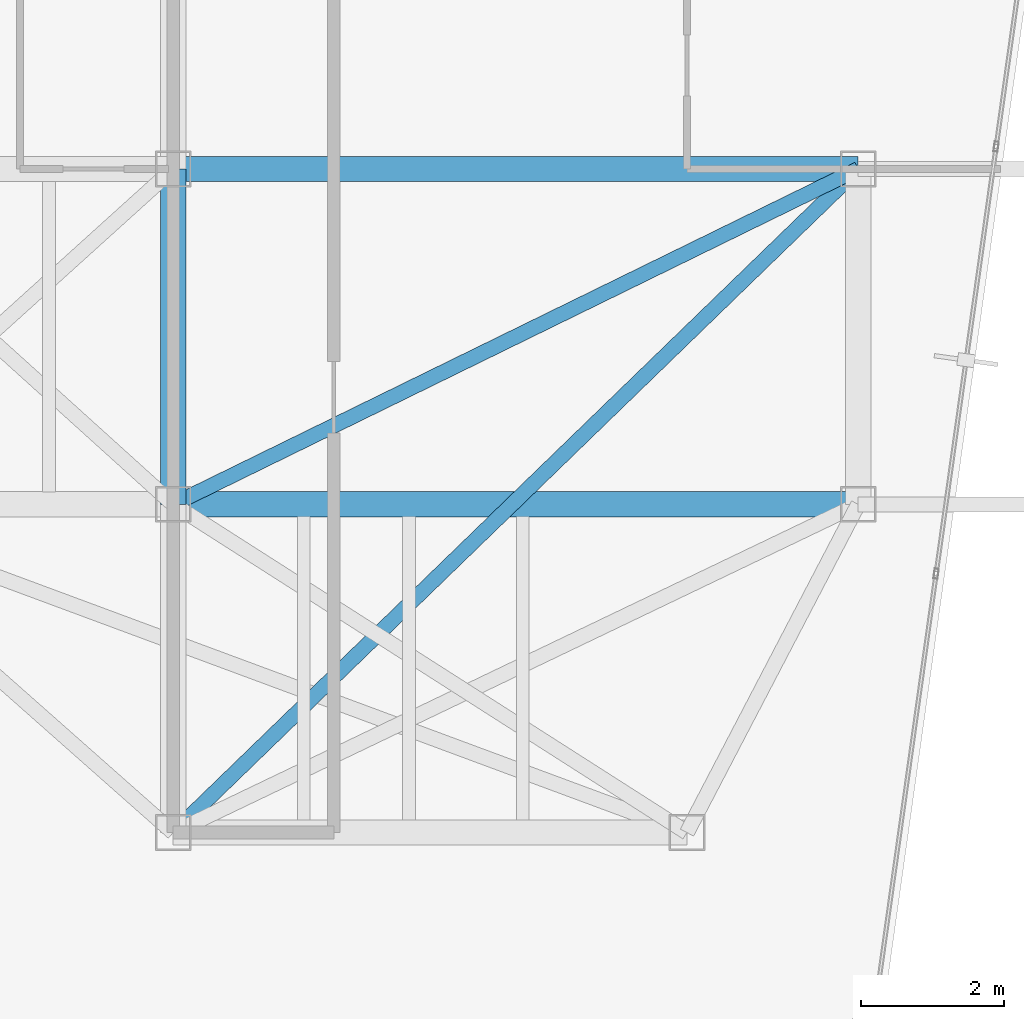
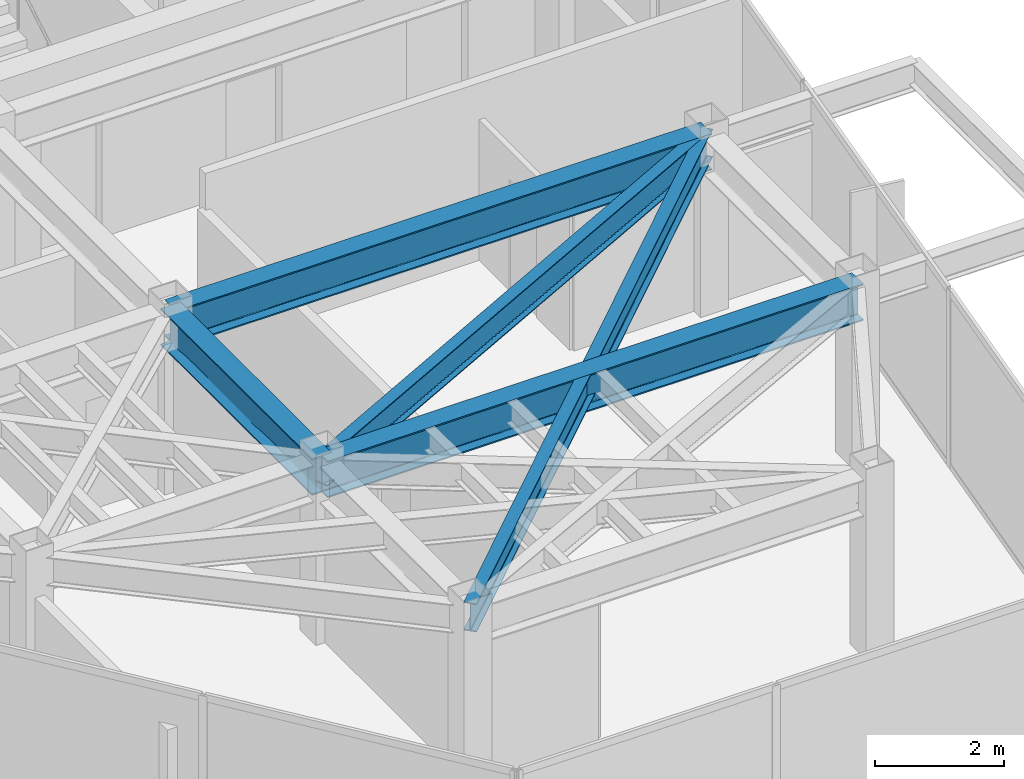
# One storey, part 12 of 20: 5 beams.
"""IFC4 building model written with IfcOpenShell, lengths in metres."""

from ifc_helpers import new_model, si_unit, direction, frame, origin, origin_2d, place, context, subcontext, project, spatial, i_section, extrude, material, material_profile, profile_set, type_object, element, save


model = new_model("IFC4")

# Units and contexts
model_context = context("Model", 3, precision=1e-05, world=origin(), true_north=direction((0.0, 1.0)))
body_context = subcontext(model_context, "Body", "Model", "MODEL_VIEW")
ifc_project = project(units=[si_unit("LENGTHUNIT", "METRE"), si_unit("AREAUNIT", "SQUARE_METRE"), si_unit("VOLUMEUNIT", "CUBIC_METRE"), si_unit("PLANEANGLEUNIT", "RADIAN"), si_unit("MASSUNIT", "GRAM", prefix="KILO")], contexts=[model_context])

# Site, building, storey
site_placement = place(None, origin())
site = spatial("IfcSite", under=ifc_project, at=site_placement, CompositionType="ELEMENT")
building_placement = place(site_placement, origin())
building = spatial("IfcBuilding", under=site, at=building_placement, Name="Kravanh Interchange Tower", CompositionType="ELEMENT")
storey_placement = place(building_placement, frame((0.0, 0.0, 245.39990234375)))
storey = spatial("IfcBuildingStorey", under=building, at=storey_placement, Name="L59", CompositionType="ELEMENT", Elevation=245.39990234375)

# Beams
ifc_material_1 = material(Name="Structural Steel S355", Category="steel")
ifc_material_profile_1 = material_profile(ifc_material_1, i_section(OverallWidth=0.35498046875, OverallDepth=0.696044921875, WebThickness=0.015380859375, FlangeThickness=0.02490234375, FilletRadius=0.02392578125, at=origin_2d()), Name="W27X146")
ifc_profile_set_1 = profile_set([ifc_material_profile_1], Name="Structural Steel S355")
beam_type_1 = type_object("IfcBeamType", Name="Floor Beam W27X146 Structural Steel S355", PredefinedType="BEAM", material=ifc_profile_set_1)
beam_1_placement = place(storey_placement, frame((56.0, 31.5, 3.01220703125), z_axis=(0.0, -1.0, 0.0), x_axis=(1.0, 0.0, 0.0)))
element("IfcBeam", 1, at=beam_1_placement, inside=storey, type_object=beam_type_1, Name="L59 Primary Floor Girder 9", PredefinedType="BEAM", context=body_context, shape_type="SweptSolid", body=[
    extrude(i_section(OverallWidth=0.35498046875, OverallDepth=0.696044921875, WebThickness=0.015380859375, FlangeThickness=0.02490234375, FilletRadius=0.02392578125, at=origin_2d()), origin(), (0.0, 0.0, 1.0), 4.699951171875),
])
for number, where, z_axis, x_axis, name in (
    (2, (56.0, 31.5, 3.01220703125), (1.0, 0.0, 0.0), (0.0, 1.0, 0.0), "L59 Primary Floor Girder 12"),
    (3, (56.0, 26.800048828125, 3.01220703125), (1.0, 0.0, 0.0), (0.0, 1.0, 0.0), "L59 Primary Floor Girder 36"),
):
    element("IfcBeam", number, at=place(storey_placement, frame(where, z_axis=z_axis, x_axis=x_axis)), inside=storey, type_object=beam_type_1, Name=name, PredefinedType="BEAM", context=body_context, shape_type="SweptSolid", body=[
        extrude(i_section(OverallWidth=0.35498046875, OverallDepth=0.696044921875, WebThickness=0.015380859375, FlangeThickness=0.02490234375, FilletRadius=0.02392578125, at=origin_2d()), origin(), (0.0, 0.0, 1.0), 9.60009765625),
    ])
ifc_material_2 = material(Name="Structural Steel S355", Category="steel")
ifc_material_profile_2 = material_profile(ifc_material_2, i_section(OverallWidth=0.2099609375, OverallDepth=0.537109375, WebThickness=0.010986328125, FlangeThickness=0.017333984375, FilletRadius=0.02001953125, at=origin_2d()), Name="W21X68")
ifc_profile_set_2 = profile_set([ifc_material_profile_2], Name="Structural Steel S355")
beam_type_2 = type_object("IfcBeamType", Name="Floor Spandrel W21X68 Structural Steel S355", PredefinedType="SPANDREL", material=ifc_profile_set_2)
beam_2_placement = place(storey_placement, frame((65.60009765625, 31.5, 3.091552734375), z_axis=(-0.898141688387, -0.439706160499, 0.0), x_axis=(0.439706160499, -0.898141688387, 0.0)))
element("IfcBeam", 4, at=beam_2_placement, inside=storey, type_object=beam_type_2, Name="L59 Perimeter Spandrel 15", PredefinedType="SPANDREL", context=body_context, shape_type="SweptSolid", body=[
    extrude(i_section(OverallWidth=0.2099609375, OverallDepth=0.537109375, WebThickness=0.010986328125, FlangeThickness=0.017333984375, FilletRadius=0.02001953125, at=origin_2d()), origin(), (0.0, 0.0, 1.0), 10.68896484375),
])
beam_3_placement = place(storey_placement, frame((65.60009765625, 31.5, 3.091552734375), z_axis=(-0.718241934329, -0.695793449072, 0.0), x_axis=(0.695793449072, -0.718241934329, 0.0)))
element("IfcBeam", 5, at=beam_3_placement, inside=storey, type_object=beam_type_2, Name="L59 Perimeter Spandrel 16", PredefinedType="SPANDREL", context=body_context, shape_type="SweptSolid", body=[
    extrude(i_section(OverallWidth=0.2099609375, OverallDepth=0.537109375, WebThickness=0.010986328125, FlangeThickness=0.017333984375, FilletRadius=0.02001953125, at=origin_2d()), origin(), (0.0, 0.0, 1.0), 13.3662109375),
])

save(model, "model.ifc")
